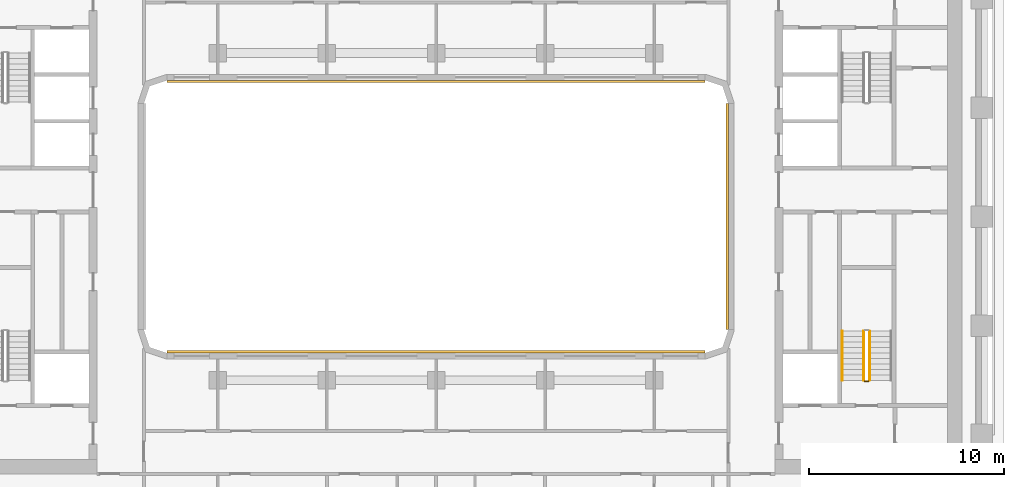
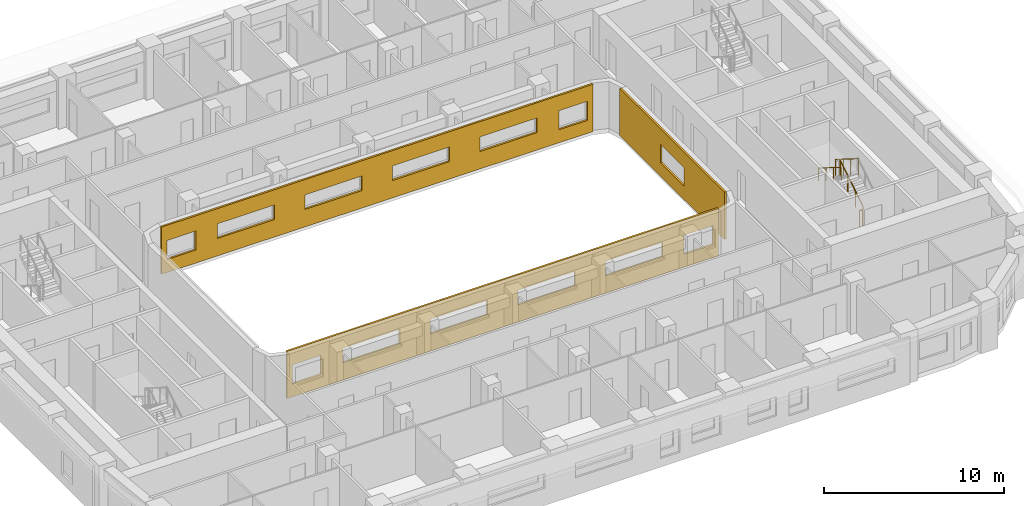
# One storey, part 16 of 22: 4 railings, 3 coverings.
"""IFC4 building model written with IfcOpenShell, lengths in metres."""

from ifc_helpers import new_model, si_unit, direction, frame, origin, origin_2d, place, context, subcontext, project, spatial, polyline, circle, outline, extrude, material, layer, layer_set, type_object, element, save


model = new_model("IFC4")

# Units and contexts
model_context = context("Model", 3, precision=1e-05, world=origin(), true_north=direction((0.0, 1.0)))
body_context = subcontext(model_context, "Body", "Model", "MODEL_VIEW")
ifc_project = project(units=[si_unit("LENGTHUNIT", "METRE"), si_unit("AREAUNIT", "SQUARE_METRE"), si_unit("VOLUMEUNIT", "CUBIC_METRE"), si_unit("PLANEANGLEUNIT", "RADIAN"), si_unit("MASSUNIT", "GRAM", prefix="KILO")], contexts=[model_context])

# Site, building, storey
site_placement = place(None, origin())
site = spatial("IfcSite", under=ifc_project, at=site_placement, CompositionType="ELEMENT")
building_placement = place(site_placement, origin())
building = spatial("IfcBuilding", under=site, at=building_placement, Name="Kiln Ring Residences", CompositionType="ELEMENT")
storey_placement = place(building_placement, frame((0.0, 0.0, 143.10009765625)))
storey = spatial("IfcBuildingStorey", under=building, at=storey_placement, Name="L36", CompositionType="ELEMENT", Elevation=143.10009765625)

# Railings
ifc_material_1 = material(Name="Stainless steel", Category="steel")
railing_type_1 = type_object("IfcRailingType", Name="CORE-STAIR-GUARD", PredefinedType="GUARDRAIL", material=ifc_material_1)
railing_1_placement = place(storey_placement, frame((22.25, -8.39990234375, 0.1748046875)))
element("IfcRailing", 1, at=railing_1_placement, inside=storey, type_object=railing_type_1, Name="L36 E-STS stair guard 1", PredefinedType="GUARDRAIL", context=body_context, shape_type="SweptSolid", body=[
    extrude(circle(Radius=0.02392578125, at=origin_2d()), frame((0.0, 0.0, 1.076171875), z_axis=(0.0, 0.847970611238, 0.530043245855), x_axis=(-1.0, 0.0, 0.0)), (0.0, 0.0, 1.0), 2.971923828125),
    extrude(circle(Radius=0.02099609375, at=origin_2d()), origin(), (0.0, 0.0, 1.0), 1.052001953125),
    extrude(circle(Radius=0.02099609375, at=origin_2d()), frame((0.0, 0.840087890625, 0.525146484375)), (0.0, 0.0, 1.0), 1.052001953125),
    extrude(circle(Radius=0.02099609375, at=origin_2d()), frame((0.0, 1.679931640625, 1.050048828125)), (0.0, 0.0, 1.0), 1.052001953125),
    extrude(circle(Radius=0.02099609375, at=origin_2d()), frame((0.0, 2.52001953125, 1.5751953125)), (0.0, 0.0, 1.0), 1.052001953125),
])
railing_2_placement = place(storey_placement, frame((21.949951171875, -5.8798828125, 1.9248046875)))
element("IfcRailing", 2, at=railing_2_placement, inside=storey, type_object=railing_type_1, Name="L36 E-STS stair guard 3", PredefinedType="GUARDRAIL", context=body_context, shape_type="SweptSolid", body=[
    extrude(circle(Radius=0.02392578125, at=origin_2d()), frame((0.0, 0.0, 1.076171875), z_axis=(0.0, -0.847970611238, 0.530043245855), x_axis=(1.0, 0.0, 0.0)), (0.0, 0.0, 1.0), 2.971923828125),
    extrude(circle(Radius=0.02099609375, at=origin_2d()), origin(), (0.0, 0.0, 1.0), 1.052001953125),
    extrude(circle(Radius=0.02099609375, at=origin_2d()), frame((0.0, -0.840087890625, 0.525146484375)), (0.0, 0.0, 1.0), 1.052001953125),
    extrude(circle(Radius=0.02099609375, at=origin_2d()), frame((0.0, -1.679931640625, 1.050048828125)), (0.0, 0.0, 1.0), 1.052001953125),
    extrude(circle(Radius=0.02099609375, at=origin_2d()), frame((0.0, -2.52001953125, 1.5751953125)), (0.0, 0.0, 1.0), 1.052001953125),
])
railing_3_placement = place(storey_placement, frame((22.199951171875, -8.449951171875, 0.0)))
element("IfcRailing", 3, at=railing_3_placement, inside=storey, type_object=railing_type_1, Name="L36 E-STS stair guard 4", PredefinedType="GUARDRAIL", context=body_context, shape_type="SweptSolid", body=[
    extrude(circle(Radius=0.02392578125, at=origin_2d()), frame((0.0, 0.0, 1.076171875), z_axis=(-1.0, 0.0, 0.0), x_axis=(0.0, -1.0, 0.0)), (0.0, 0.0, 1.0), 0.199951171875),
    extrude(circle(Radius=0.02099609375, at=origin_2d()), origin(), (0.0, 0.0, 1.0), 1.052001953125),
    extrude(circle(Radius=0.02099609375, at=origin_2d()), frame((-0.199951171875, 0.0, 0.0)), (0.0, 0.0, 1.0), 1.052001953125),
])
ifc_material_2 = material(Name="Stainless steel", Category="steel")
railing_type_2 = type_object("IfcRailingType", Name="CORE-STAIR-HANDRAIL", PredefinedType="HANDRAIL", material=ifc_material_2)
railing_4_placement = place(storey_placement, frame((20.85009765625, -5.8798828125, 1.9248046875)))
element("IfcRailing", 4, at=railing_4_placement, inside=storey, type_object=railing_type_2, Name="L36 E-STS stair handrail 2", PredefinedType="HANDRAIL", context=body_context, shape_type="SweptSolid", body=[
    extrude(circle(Radius=0.02392578125, at=origin_2d()), frame((0.0, 0.0, 0.8759765625), z_axis=(0.0, -0.847970611238, 0.530043245855), x_axis=(1.0, 0.0, 0.0)), (0.0, 0.0, 1.0), 2.971923828125),
    extrude(circle(Radius=0.02099609375, at=origin_2d()), origin(), (0.0, 0.0, 1.0), 0.851806640625),
    extrude(circle(Radius=0.02099609375, at=origin_2d()), frame((0.0, -0.840087890625, 0.525146484375)), (0.0, 0.0, 1.0), 0.851806640625),
    extrude(circle(Radius=0.02099609375, at=origin_2d()), frame((0.0, -1.679931640625, 1.050048828125)), (0.0, 0.0, 1.0), 0.851806640625),
    extrude(circle(Radius=0.02099609375, at=origin_2d()), frame((0.0, -2.52001953125, 1.5751953125)), (0.0, 0.0, 1.0), 0.851806640625),
])

# Coverings
ifc_material_3 = material(Name="Brick masonry, dark clay brick", Category="masonry")
ifc_layer = layer(ifc_material_3, 0.1201171875)
ifc_layer_set = layer_set([ifc_layer], Name="RAINSCREEN PANEL 120")
covering_type = type_object("IfcCoveringType", Name="RAINSCREEN PANEL 120", PredefinedType="CLADDING", material=ifc_layer_set)
covering_1_placement = place(storey_placement, frame((-13.800048828125, 6.93994140625, 0.0), z_axis=(0.0, 0.0, 1.0), x_axis=(1.0, 0.0, 0.0)))
element("IfcCovering", 5, at=covering_1_placement, inside=storey, type_object=covering_type, Name="RAINSCREEN L36", PredefinedType="CLADDING", context=body_context, shape_type="SweptSolid", body=[
    extrude(outline(polyline([(0.0, 0.0), (27.60009765625, 0.0), (27.60009765625, 3.199951171875), (0.0, 3.199951171875), (0.0, 0.0)]), holes=[polyline([(2.1826171875, 0.8798828125), (2.1826171875, 2.169921875), (0.342529296875, 2.169921875), (0.342529296875, 0.8798828125), (2.1826171875, 0.8798828125)]), polyline([(25.41748046875, 0.8798828125), (27.257568359375, 0.8798828125), (27.257568359375, 2.169921875), (25.41748046875, 2.169921875), (25.41748046875, 0.8798828125)]), polyline([(3.580078125, 1.179931640625), (7.219970703125, 1.179931640625), (7.219970703125, 2.169921875), (3.580078125, 2.169921875), (3.580078125, 1.179931640625)]), polyline([(12.820068359375, 1.179931640625), (12.820068359375, 2.169921875), (9.179931640625, 2.169921875), (9.179931640625, 1.179931640625), (12.820068359375, 1.179931640625)]), polyline([(14.780029296875, 1.179931640625), (18.419921875, 1.179931640625), (18.419921875, 2.169921875), (14.780029296875, 2.169921875), (14.780029296875, 1.179931640625)]), polyline([(20.3798828125, 1.179931640625), (24.02001953125, 1.179931640625), (24.02001953125, 2.169921875), (20.3798828125, 2.169921875), (20.3798828125, 1.179931640625)])]), frame((0.0, 0.06005859375, 0.0), z_axis=(0.0, -1.0, 0.0), x_axis=(1.0, 0.0, 0.0)), (0.0, 0.0, 1.0), 0.1201171875),
])
covering_2_placement = place(storey_placement, frame((14.93994140625, 5.800048828125, 0.0), z_axis=(0.0, 0.0, 1.0), x_axis=(0.0, -1.0, 0.0)))
element("IfcCovering", 6, at=covering_2_placement, inside=storey, type_object=covering_type, Name="RAINSCREEN L36", PredefinedType="CLADDING", context=body_context, shape_type="SweptSolid", body=[
    extrude(outline(polyline([(0.0, 0.0), (11.60009765625, 0.0), (11.60009765625, 3.199951171875), (0.0, 3.199951171875), (0.0, 0.0)]), holes=[polyline([(4.5, 2.14990234375), (4.5, 0.89990234375), (7.10009765625, 0.89990234375), (7.10009765625, 2.14990234375), (4.5, 2.14990234375)])]), frame((0.0, 0.06005859375, 0.0), z_axis=(0.0, -1.0, 0.0), x_axis=(1.0, 0.0, 0.0)), (0.0, 0.0, 1.0), 0.1201171875),
])
covering_3_placement = place(storey_placement, frame((13.800048828125, -6.93994140625, 0.0), z_axis=(0.0, 0.0, 1.0), x_axis=(-1.0, 0.0, 0.0)))
element("IfcCovering", 7, at=covering_3_placement, inside=storey, type_object=covering_type, Name="RAINSCREEN L36", PredefinedType="CLADDING", context=body_context, shape_type="SweptSolid", body=[
    extrude(outline(polyline([(0.0, 0.0), (27.60009765625, 0.0), (27.60009765625, 3.199951171875), (0.0, 3.199951171875), (0.0, 0.0)]), holes=[polyline([(2.1826171875, 0.8798828125), (2.1826171875, 2.169921875), (0.342529296875, 2.169921875), (0.342529296875, 0.8798828125), (2.1826171875, 0.8798828125)]), polyline([(25.41748046875, 0.8798828125), (27.257568359375, 0.8798828125), (27.257568359375, 2.169921875), (25.41748046875, 2.169921875), (25.41748046875, 0.8798828125)]), polyline([(3.580078125, 1.179931640625), (7.219970703125, 1.179931640625), (7.219970703125, 2.169921875), (3.580078125, 2.169921875), (3.580078125, 1.179931640625)]), polyline([(12.820068359375, 1.179931640625), (12.820068359375, 2.169921875), (9.179931640625, 2.169921875), (9.179931640625, 1.179931640625), (12.820068359375, 1.179931640625)]), polyline([(14.780029296875, 1.179931640625), (18.419921875, 1.179931640625), (18.419921875, 2.169921875), (14.780029296875, 2.169921875), (14.780029296875, 1.179931640625)]), polyline([(20.3798828125, 1.179931640625), (24.02001953125, 1.179931640625), (24.02001953125, 2.169921875), (20.3798828125, 2.169921875), (20.3798828125, 1.179931640625)])]), frame((0.0, 0.06005859375, 0.0), z_axis=(0.0, -1.0, 0.0), x_axis=(1.0, 0.0, 0.0)), (0.0, 0.0, 1.0), 0.1201171875),
])

save(model, "model.ifc")
